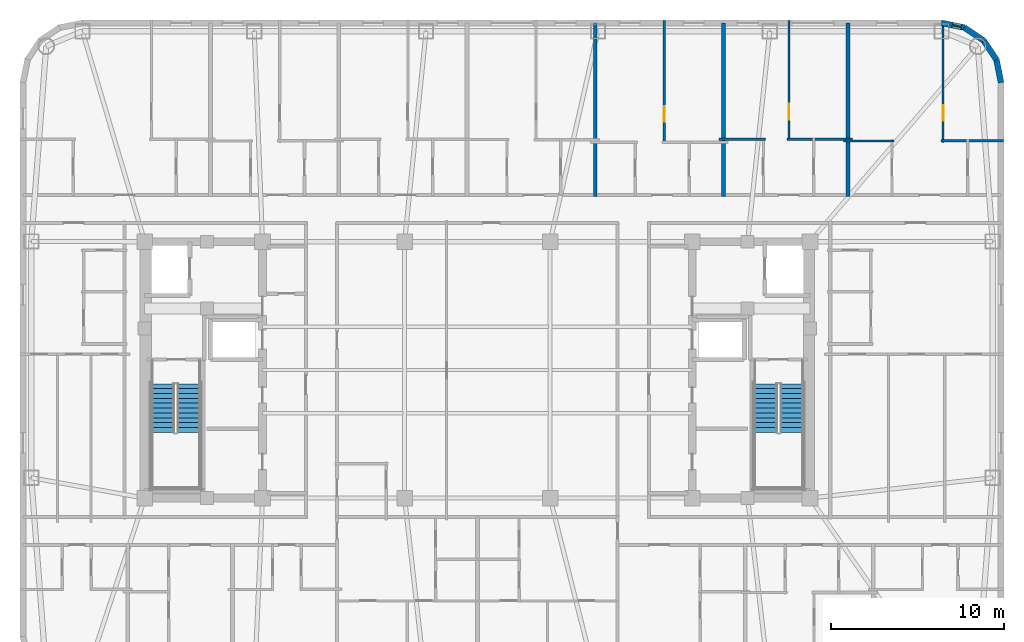
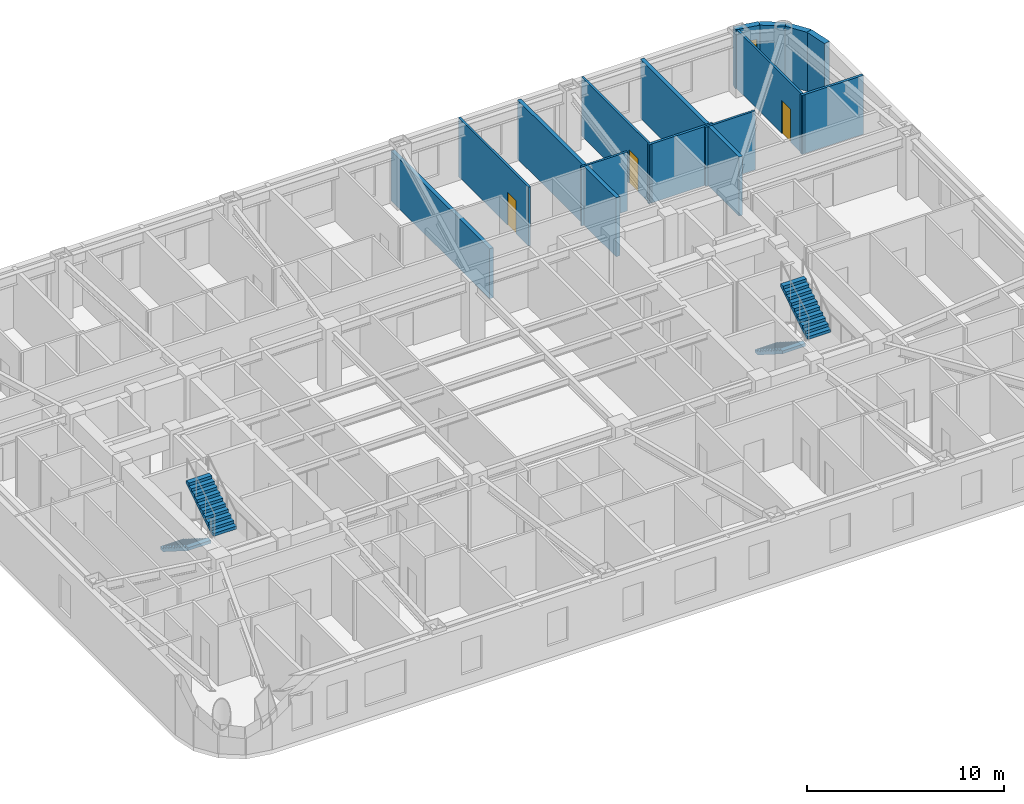
# One storey, part 9 of 11: 14 walls, 4 stair flights, 3 doors, 1 window, 4 openings, 2 elements without a shape of their own.
"""IFC4 building model written with IfcOpenShell, lengths in metres."""

from ifc_helpers import new_model, si_unit, direction, frame, frame_2d, origin, place, context, subcontext, project, spatial, polyline, rectangle, outline, extrude, material, layer, layer_set, type_object, element, fill, aggregate, save


model = new_model("IFC4")

# Units and contexts
model_context = context("Model", 3, precision=1e-05, world=origin(), true_north=direction((0.0, 1.0)))
body_context = subcontext(model_context, "Body", "Model", "MODEL_VIEW")
ifc_project = project(units=[si_unit("LENGTHUNIT", "METRE"), si_unit("AREAUNIT", "SQUARE_METRE"), si_unit("VOLUMEUNIT", "CUBIC_METRE"), si_unit("PLANEANGLEUNIT", "RADIAN"), si_unit("MASSUNIT", "GRAM", prefix="KILO")], contexts=[model_context])

# Site, building, storey
site_placement = place(None, origin())
site = spatial("IfcSite", under=ifc_project, at=site_placement, CompositionType="ELEMENT")
building_placement = place(site_placement, origin())
building = spatial("IfcBuilding", under=site, at=building_placement, Name="Voryun Gate Residences", CompositionType="ELEMENT")
storey_placement = place(building_placement, frame((0.0, 0.0, 235.300048828125)))
storey = spatial("IfcBuildingStorey", under=building, at=storey_placement, Name="L58", CompositionType="ELEMENT", Elevation=235.300048828125)

# Wall, opening, window
ifc_material_1 = material(Name="Charcoal terracotta masonry", Category="masonry")
ifc_layer_1 = layer(ifc_material_1, 0.340087890625, Name="W_EXT_TERRACOTTA_340")
ifc_layer_set_1 = layer_set([ifc_layer_1], Name="Charcoal terracotta masonry")
wall_type_1 = type_object("IfcWallType", Name="W_EXT_TERRACOTTA_340", PredefinedType="ELEMENTEDWALL", material=ifc_layer_set_1)
wall_1_placement = place(storey_placement, frame((26.783203125, 20.030029296875, 0.0), z_axis=(0.0, 0.0, 1.0), x_axis=(0.980788153188, -0.195075878998, 0.0)))
wall_1 = element("IfcWall", 1, at=wall_1_placement, inside=storey, type_object=wall_type_1, Name="Exterior wall WEXT-L58-12", PredefinedType="ELEMENTEDWALL", context=body_context, shape_type="SweptSolid", body=[
    extrude(rectangle(XDim=1.354248046875, YDim=0.340087890625, at=frame_2d((0.67724609375, 0.0))), origin(), (0.0, 0.0, 1.0), 3.64990234375),
])
opening_1_placement = place(wall_1_placement, frame((0.656982421875, 0.0, 0.75)))
opening_1 = element("IfcOpeningElement", 2, at=opening_1_placement, cuts=wall_1, Name="Opening WN10", PredefinedType="OPENING", context=body_context, shape_type="SweptSolid", body=[
    extrude(rectangle(XDim=0.52001953125, YDim=2.050048828125, at=frame_2d((0.260009765625, 1.02490234375))), frame((0.0, 0.179931640625, 0.0), z_axis=(0.0, -1.0, 0.0), x_axis=(1.0, 0.0, 0.0)), (0.0, 0.0, 1.0), 0.360107421875),
])
ifc_material_2 = material(Name="Laminated low-E glass", Category="glass")
window_type = type_object("IfcWindowType", Name="WN_PAGODA_LANCET_520", PartitioningType="SINGLE_PANEL", PredefinedType="WINDOW", material=ifc_material_2)
window_placement = place(opening_1_placement, origin())
window = element("IfcWindow", 3, at=window_placement, inside=storey, type_object=window_type, Name="Window WN-L58-DWFIX-12", OverallHeight=2.050048828125, OverallWidth=0.52001953125, PartitioningType="SINGLE_PANEL", PredefinedType="WINDOW", context=body_context, shape_type="SweptSolid", body=[
    extrude(rectangle(XDim=0.52001953125, YDim=2.050048828125, at=frame_2d((0.260009765625, 1.02490234375))), frame((0.0, 0.030029296875, 0.0), z_axis=(0.0, -1.0, 0.0), x_axis=(1.0, 0.0, 0.0)), (0.0, 0.0, 1.0), 0.06005859375),
])
fill(opening_1, window)

# Walls
for number, where, z_axis, x_axis, name in (
    (4, (28.111328125, 19.765869140625, 0.0), (0.0, 0.0, 1.0), (0.831403586725, -0.555669034571, 0.0), "Exterior wall WEXT-L58-13"),
    (5, (29.222900390625, 19.02294921875, 0.0), (0.0, 0.0, 1.0), (0.555669034571, -0.831403586725, 0.0), "Exterior wall WEXT-L58-14"),
):
    element("IfcWall", number, at=place(storey_placement, frame(where, z_axis=z_axis, x_axis=x_axis)), inside=storey, type_object=wall_type_1, Name=name, PredefinedType="ELEMENTEDWALL", context=body_context, shape_type="SweptSolid", body=[
        extrude(rectangle(XDim=1.3369140625, YDim=0.340087890625, at=frame_2d((0.66845703125, 0.0))), origin(), (0.0, 0.0, 1.0), 3.64990234375),
    ])
wall_2_placement = place(storey_placement, frame((29.9658203125, 17.911376953125, 0.0), z_axis=(0.0, 0.0, 1.0), x_axis=(0.195075878998, -0.980788153188, 0.0)))
element("IfcWall", 6, at=wall_2_placement, inside=storey, type_object=wall_type_1, Name="Exterior wall WEXT-L58-15", PredefinedType="ELEMENTEDWALL", context=body_context, shape_type="SweptSolid", body=[
    extrude(rectangle(XDim=1.354248046875, YDim=0.340087890625, at=frame_2d((0.67724609375, 0.0))), origin(), (0.0, 0.0, 1.0), 3.64990234375),
])
ifc_material_3 = material(Name="Concrete C40/50", Category="concrete")
ifc_layer_2 = layer(ifc_material_3, 0.219970703125, Name="W_PARTY_ACOUSTIC_220")
ifc_layer_set_2 = layer_set([ifc_layer_2], Name="Concrete C40/50")
wall_type_2 = type_object("IfcWallType", Name="W_PARTY_ACOUSTIC_220", PredefinedType="PARTITIONING", material=ifc_layer_set_2)
wall_3_placement = place(storey_placement, frame((6.800048828125, 10.02001953125, 0.0), z_axis=(0.0, 0.0, 1.0), x_axis=(0.0, 1.0, 0.0)))
element("IfcWall", 7, at=wall_3_placement, inside=storey, type_object=wall_type_2, Name="Partition wall WP-L58-NPTY-4", PredefinedType="PARTITIONING", context=body_context, shape_type="SweptSolid", body=[
    extrude(rectangle(XDim=10.010009765625, YDim=0.219970703125, at=frame_2d((5.0048828125, 0.0))), origin(), (0.0, 0.0, 1.0), 3.08984375),
])
for number, where, z_axis, x_axis, name in (
    (8, (14.199951171875, 10.02001953125, 0.0), (0.0, 0.0, 1.0), (0.0, 1.0, 0.0), "Partition wall WP-L58-NPTY-5"),
    (9, (21.39990234375, 10.02001953125, 0.0), (0.0, 0.0, 1.0), (0.0, 1.0, 0.0), "Partition wall WP-L58-NPTY-6"),
):
    element("IfcWall", number, at=place(storey_placement, frame(where, z_axis=z_axis, x_axis=x_axis)), inside=storey, type_object=wall_type_2, Name=name, PredefinedType="PARTITIONING", context=body_context, shape_type="SweptSolid", body=[
        extrude(rectangle(XDim=10.010009765625, YDim=0.219970703125, at=frame_2d((5.0048828125, 0.0))), origin(), (0.0, 0.0, 1.0), 3.64990234375),
    ])

# Wall, opening, door
ifc_material_4 = material(Name="Gypsum acoustic partition")
ifc_layer_3 = layer(ifc_material_4, 0.125, Name="W_UNIT_PART_125")
ifc_layer_set_3 = layer_set([ifc_layer_3], Name="Gypsum acoustic partition")
wall_type_3 = type_object("IfcWallType", Name="W_UNIT_PART_125", PredefinedType="PARTITIONING", material=ifc_layer_set_3)
wall_4_placement = place(storey_placement, frame((10.7900390625, 13.06494140625, 0.0), z_axis=(0.0, 0.0, 1.0), x_axis=(0.0, 1.0, 0.0)))
wall_4 = element("IfcWall", 10, at=wall_4_placement, inside=storey, type_object=wall_type_3, Name="Partition wall WP-L58-N5-OVR", PredefinedType="PARTITIONING", context=body_context, shape_type="SweptSolid", body=[
    extrude(rectangle(XDim=7.114990234375, YDim=0.125, at=frame_2d((3.5576171875, 0.0))), origin(), (0.0, 0.0, 1.0), 3.64990234375),
])
opening_2_placement = place(wall_4_placement, frame((1.257568359375, 0.0, 0.0)))
opening_2 = element("IfcOpeningElement", 11, at=opening_2_placement, cuts=wall_4, Name="Opening D-INT-2", PredefinedType="OPENING", context=body_context, shape_type="SweptSolid", body=[
    extrude(rectangle(XDim=0.89990234375, YDim=2.050048828125, at=frame_2d((0.449951171875, 1.02490234375))), frame((0.0, 0.072509765625, 0.0), z_axis=(0.0, -1.0, 0.0), x_axis=(1.0, 0.0, 0.0)), (0.0, 0.0, 1.0), 0.14501953125),
])
ifc_material_5 = material(Name="Architectural oak veneer")
door_type = type_object("IfcDoorType", Name="DR_INT_BATH_900", OperationType="NOTDEFINED", PredefinedType="DOOR", material=ifc_material_5)
door_1_placement = place(opening_2_placement, origin())
door_1 = element("IfcDoor", 12, at=door_1_placement, inside=storey, type_object=door_type, Name="Door DR-L58-N5-DMB", OperationType="SINGLE_SWING_RIGHT", OverallHeight=2.050048828125, OverallWidth=0.89990234375, PredefinedType="DOOR", context=body_context, shape_type="SweptSolid", body=[
    extrude(rectangle(XDim=0.89990234375, YDim=2.050048828125, at=frame_2d((0.449951171875, 1.02490234375))), frame((0.0, 0.02490234375, 0.0), z_axis=(0.0, -1.0, 0.0), x_axis=(1.0, 0.0, 0.0)), (0.0, 0.0, 1.0), 0.050048828125),
])
fill(opening_2, door_1)

wall_5_placement = place(storey_placement, frame((17.989990234375, 13.239990234375, 0.0), z_axis=(0.0, 0.0, 1.0), x_axis=(0.0, 1.0, 0.0)))
wall_5 = element("IfcWall", 13, at=wall_5_placement, inside=storey, type_object=wall_type_3, Name="Partition wall WP-L58-N6-OVR", PredefinedType="PARTITIONING", context=body_context, shape_type="SweptSolid", body=[
    extrude(rectangle(XDim=6.93994140625, YDim=0.125, at=frame_2d((3.469970703125, 0.0))), origin(), (0.0, 0.0, 1.0), 3.64990234375),
])
opening_3_placement = place(wall_5_placement, frame((1.215576171875, 0.0, 0.0)))
opening_3 = element("IfcOpeningElement", 14, at=opening_3_placement, cuts=wall_5, Name="Opening D-INT-2", PredefinedType="OPENING", context=body_context, shape_type="SweptSolid", body=[
    extrude(rectangle(XDim=0.89990234375, YDim=2.050048828125, at=frame_2d((0.449951171875, 1.02490234375))), frame((0.0, 0.072509765625, 0.0), z_axis=(0.0, -1.0, 0.0), x_axis=(1.0, 0.0, 0.0)), (0.0, 0.0, 1.0), 0.14501953125),
])
door_2_placement = place(opening_3_placement, origin())
door_2 = element("IfcDoor", 15, at=door_2_placement, inside=storey, type_object=door_type, Name="Door DR-L58-N6-DMB", OperationType="SINGLE_SWING_RIGHT", OverallHeight=2.050048828125, OverallWidth=0.89990234375, PredefinedType="DOOR", context=body_context, shape_type="SweptSolid", body=[
    extrude(rectangle(XDim=0.89990234375, YDim=2.050048828125, at=frame_2d((0.449951171875, 1.02490234375))), frame((0.0, 0.02490234375, 0.0), z_axis=(0.0, -1.0, 0.0), x_axis=(1.0, 0.0, 0.0)), (0.0, 0.0, 1.0), 0.050048828125),
])
fill(opening_3, door_2)

# Wall
wall_6_placement = place(storey_placement, frame((13.93994140625, 13.320068359375, 0.0), z_axis=(0.0, 0.0, 1.0), x_axis=(1.0, 0.0, 0.0)))
element("IfcWall", 16, at=wall_6_placement, inside=storey, type_object=wall_type_3, Name="Partition wall WP-L58-N6-HZK", PredefinedType="PARTITIONING", context=body_context, shape_type="SweptSolid", body=[
    extrude(rectangle(XDim=2.68994140625, YDim=0.125, at=frame_2d((1.344970703125, 0.0))), origin(), (0.0, 0.0, 1.0), 3.64990234375),
])

# Wall, opening, door
wall_7_placement = place(storey_placement, frame((26.886962890625, 13.138916015625, 0.0), z_axis=(0.0, 0.0, 1.0), x_axis=(0.0, 1.0, 0.0)))
wall_7 = element("IfcWall", 17, at=wall_7_placement, inside=storey, type_object=wall_type_3, Name="Partition wall WP-L58-N7-OVR", PredefinedType="PARTITIONING", context=body_context, shape_type="SweptSolid", body=[
    extrude(rectangle(XDim=7.0234375, YDim=0.125, at=frame_2d((3.51171875, 0.0))), origin(), (0.0, 0.0, 1.0), 3.64990234375),
])
opening_4_placement = place(wall_7_placement, frame((1.235595703125, 0.0, 0.0)))
opening_4 = element("IfcOpeningElement", 18, at=opening_4_placement, cuts=wall_7, Name="Opening D-INT-2", PredefinedType="OPENING", context=body_context, shape_type="SweptSolid", body=[
    extrude(rectangle(XDim=0.89990234375, YDim=2.050048828125, at=frame_2d((0.449951171875, 1.02490234375))), frame((0.0, 0.072509765625, 0.0), z_axis=(0.0, -1.0, 0.0), x_axis=(1.0, 0.0, 0.0)), (0.0, 0.0, 1.0), 0.14501953125),
])
door_3_placement = place(opening_4_placement, origin())
door_3 = element("IfcDoor", 19, at=door_3_placement, inside=storey, type_object=door_type, Name="Door DR-L58-N7-DMB", OperationType="SINGLE_SWING_RIGHT", OverallHeight=2.050048828125, OverallWidth=0.89990234375, PredefinedType="DOOR", context=body_context, shape_type="SweptSolid", body=[
    extrude(rectangle(XDim=0.89990234375, YDim=2.050048828125, at=frame_2d((0.449951171875, 1.02490234375))), frame((0.0, 0.02490234375, 0.0), z_axis=(0.0, -1.0, 0.0), x_axis=(1.0, 0.0, 0.0)), (0.0, 0.0, 1.0), 0.050048828125),
])
fill(opening_4, door_3)

# Walls
wall_8_placement = place(storey_placement, frame((21.139892578125, 13.218994140625, 0.0), z_axis=(0.0, 0.0, 1.0), x_axis=(1.0, 0.0, 0.0)))
element("IfcWall", 20, at=wall_8_placement, inside=storey, type_object=wall_type_3, Name="Partition wall WP-L58-N7-HZK", PredefinedType="PARTITIONING", context=body_context, shape_type="SweptSolid", body=[
    extrude(rectangle(XDim=2.9150390625, YDim=0.125, at=frame_2d((1.45751953125, 0.0))), origin(), (0.0, 0.0, 1.0), 3.64990234375),
])
ifc_material_6 = material(Name="Gypsum moisture-resistant partition")
ifc_layer_4 = layer(ifc_material_6, 0.14990234375, Name="W_WET_PLUMB_150")
ifc_layer_set_4 = layer_set([ifc_layer_4], Name="Gypsum moisture-resistant partition")
wall_type_4 = type_object("IfcWallType", Name="W_WET_PLUMB_150", PredefinedType="PLUMBINGWALL", material=ifc_layer_set_4)
wall_9_placement = place(storey_placement, frame((17.8701171875, 13.320068359375, 0.0), z_axis=(0.0, 0.0, 1.0), x_axis=(1.0, 0.0, 0.0)))
element("IfcWall", 21, at=wall_9_placement, inside=storey, type_object=wall_type_4, Name="Partition wall WP-L58-N6-HZB", PredefinedType="PLUMBINGWALL", context=body_context, shape_type="SweptSolid", body=[
    extrude(rectangle(XDim=3.789794921875, YDim=0.14990234375, at=frame_2d((1.89501953125, 0.0))), origin(), (0.0, 0.0, 1.0), 3.64990234375),
])
wall_10_placement = place(storey_placement, frame((26.76708984375, 13.218994140625, 0.0), z_axis=(0.0, 0.0, 1.0), x_axis=(1.0, 0.0, 0.0)))
element("IfcWall", 22, at=wall_10_placement, inside=storey, type_object=wall_type_4, Name="Partition wall WP-L58-N7-HZB", PredefinedType="PLUMBINGWALL", context=body_context, shape_type="SweptSolid", body=[
    extrude(rectangle(XDim=3.61279296875, YDim=0.14990234375, at=frame_2d((1.806396484375, 0.0))), origin(), (0.0, 0.0, 1.0), 3.64990234375),
])

# Stair, stair flights
ifc_material_7 = material(Name="Concrete C40/50", Category="concrete")
stair_type = type_object("IfcStairType", Name="STR_CORE_DOGLEG_1350", PredefinedType="HALF_TURN_STAIR", material=ifc_material_7)
stair_1_placement = place(storey_placement, origin())
stair_1 = element("IfcStair", 23, at=stair_1_placement, inside=storey, type_object=stair_type, Name="L58 Special Escape Stair ST-W1", PredefinedType="HALF_TURN_STAIR")
ifc_material_8 = material(Name="Concrete C40/50", Category="concrete")
stair_flight_type = type_object("IfcStairFlightType", Name="FLT_CORE_1350", PredefinedType="STRAIGHT", material=ifc_material_8)
stair_flight_1_placement = place(storey_placement, frame((-18.14990234375, -0.800048828125, 0.0), z_axis=(0.0, 0.0, 1.0), x_axis=(0.0, -1.0, 0.0)))
stair_flight_1 = element("IfcStairFlight", 24, at=stair_flight_1_placement, type_object=stair_flight_type, Name="ST-W1 flight 1", NumberOfRisers=11, NumberOfTreads=10, PredefinedType="STRAIGHT", RiserHeight=0.177272727, TreadLength=0.28, context=body_context, shape_type="SweptSolid", body=[
    extrude(outline(polyline([(0.0, 0.0), (0.0, 0.17724609375), (0.280029296875, 0.17724609375), (0.280029296875, 0.3544921875), (0.56005859375, 0.3544921875), (0.56005859375, 0.53173828125), (0.840087890625, 0.53173828125), (0.840087890625, 0.708984375), (1.1201171875, 0.708984375), (1.1201171875, 0.886474609375), (1.39990234375, 0.886474609375), (1.39990234375, 1.063720703125), (1.679931640625, 1.063720703125), (1.679931640625, 1.240966796875), (1.9599609375, 1.240966796875), (1.9599609375, 1.418212890625), (2.239990234375, 1.418212890625), (2.239990234375, 1.595458984375), (2.52001953125, 1.595458984375), (2.52001953125, 1.772705078125), (2.800048828125, 1.772705078125), (2.800048828125, 1.949951171875), (2.800048828125, 1.59521484375), (0.2802734375, 0.0), (0.0, 0.0)])), frame((0.0, 0.675048828125, 0.0), z_axis=(0.0, -1.0, 0.0), x_axis=(1.0, 0.0, 0.0)), (0.0, 0.0, 1.0), 1.35009765625),
])
stair_flight_2_placement = place(storey_placement, frame((-16.64990234375, -3.60009765625, 1.949951171875), z_axis=(0.0, 0.0, 1.0), x_axis=(0.0, 1.0, 0.0)))
stair_flight_2 = element("IfcStairFlight", 25, at=stair_flight_2_placement, type_object=stair_flight_type, Name="ST-W1 flight 2", NumberOfRisers=11, NumberOfTreads=10, PredefinedType="STRAIGHT", RiserHeight=0.177272727, TreadLength=0.28, context=body_context, shape_type="SweptSolid", body=[
    extrude(outline(polyline([(0.0, 0.0), (0.0, 0.17724609375), (0.280029296875, 0.17724609375), (0.280029296875, 0.3544921875), (0.56005859375, 0.3544921875), (0.56005859375, 0.53173828125), (0.840087890625, 0.53173828125), (0.840087890625, 0.708984375), (1.1201171875, 0.708984375), (1.1201171875, 0.886474609375), (1.39990234375, 0.886474609375), (1.39990234375, 1.063720703125), (1.679931640625, 1.063720703125), (1.679931640625, 1.240966796875), (1.9599609375, 1.240966796875), (1.9599609375, 1.418212890625), (2.239990234375, 1.418212890625), (2.239990234375, 1.595458984375), (2.52001953125, 1.595458984375), (2.52001953125, 1.772705078125), (2.800048828125, 1.772705078125), (2.800048828125, 1.949951171875), (2.800048828125, 1.59521484375), (0.2802734375, 0.0), (0.0, 0.0)])), frame((0.0, 0.675048828125, 0.0), z_axis=(0.0, -1.0, 0.0), x_axis=(1.0, 0.0, 0.0)), (0.0, 0.0, 1.0), 1.35009765625),
])
aggregate(stair_1, [stair_flight_1, stair_flight_2])

stair_2_placement = place(storey_placement, origin())
stair_2 = element("IfcStair", 26, at=stair_2_placement, inside=storey, type_object=stair_type, Name="L58 Special Escape Stair ST-E1", PredefinedType="HALF_TURN_STAIR")
stair_flight_3_placement = place(storey_placement, frame((16.64990234375, -0.800048828125, 0.0), z_axis=(0.0, 0.0, 1.0), x_axis=(0.0, -1.0, 0.0)))
stair_flight_3 = element("IfcStairFlight", 27, at=stair_flight_3_placement, type_object=stair_flight_type, Name="ST-E1 flight 1", NumberOfRisers=11, NumberOfTreads=10, PredefinedType="STRAIGHT", RiserHeight=0.177272727, TreadLength=0.28, context=body_context, shape_type="SweptSolid", body=[
    extrude(outline(polyline([(0.0, 0.0), (0.0, 0.17724609375), (0.280029296875, 0.17724609375), (0.280029296875, 0.3544921875), (0.56005859375, 0.3544921875), (0.56005859375, 0.53173828125), (0.840087890625, 0.53173828125), (0.840087890625, 0.708984375), (1.1201171875, 0.708984375), (1.1201171875, 0.886474609375), (1.39990234375, 0.886474609375), (1.39990234375, 1.063720703125), (1.679931640625, 1.063720703125), (1.679931640625, 1.240966796875), (1.9599609375, 1.240966796875), (1.9599609375, 1.418212890625), (2.239990234375, 1.418212890625), (2.239990234375, 1.595458984375), (2.52001953125, 1.595458984375), (2.52001953125, 1.772705078125), (2.800048828125, 1.772705078125), (2.800048828125, 1.949951171875), (2.800048828125, 1.59521484375), (0.2802734375, 0.0), (0.0, 0.0)])), frame((0.0, 0.675048828125, 0.0), z_axis=(0.0, -1.0, 0.0), x_axis=(1.0, 0.0, 0.0)), (0.0, 0.0, 1.0), 1.35009765625),
])
stair_flight_4_placement = place(storey_placement, frame((18.14990234375, -3.60009765625, 1.949951171875), z_axis=(0.0, 0.0, 1.0), x_axis=(0.0, 1.0, 0.0)))
stair_flight_4 = element("IfcStairFlight", 28, at=stair_flight_4_placement, type_object=stair_flight_type, Name="ST-E1 flight 2", NumberOfRisers=11, NumberOfTreads=10, PredefinedType="STRAIGHT", RiserHeight=0.177272727, TreadLength=0.28, context=body_context, shape_type="SweptSolid", body=[
    extrude(outline(polyline([(0.0, 0.0), (0.0, 0.17724609375), (0.280029296875, 0.17724609375), (0.280029296875, 0.3544921875), (0.56005859375, 0.3544921875), (0.56005859375, 0.53173828125), (0.840087890625, 0.53173828125), (0.840087890625, 0.708984375), (1.1201171875, 0.708984375), (1.1201171875, 0.886474609375), (1.39990234375, 0.886474609375), (1.39990234375, 1.063720703125), (1.679931640625, 1.063720703125), (1.679931640625, 1.240966796875), (1.9599609375, 1.240966796875), (1.9599609375, 1.418212890625), (2.239990234375, 1.418212890625), (2.239990234375, 1.595458984375), (2.52001953125, 1.595458984375), (2.52001953125, 1.772705078125), (2.800048828125, 1.772705078125), (2.800048828125, 1.949951171875), (2.800048828125, 1.59521484375), (0.2802734375, 0.0), (0.0, 0.0)])), frame((0.0, 0.675048828125, 0.0), z_axis=(0.0, -1.0, 0.0), x_axis=(1.0, 0.0, 0.0)), (0.0, 0.0, 1.0), 1.35009765625),
])
aggregate(stair_2, [stair_flight_3, stair_flight_4])

save(model, "model.ifc")
